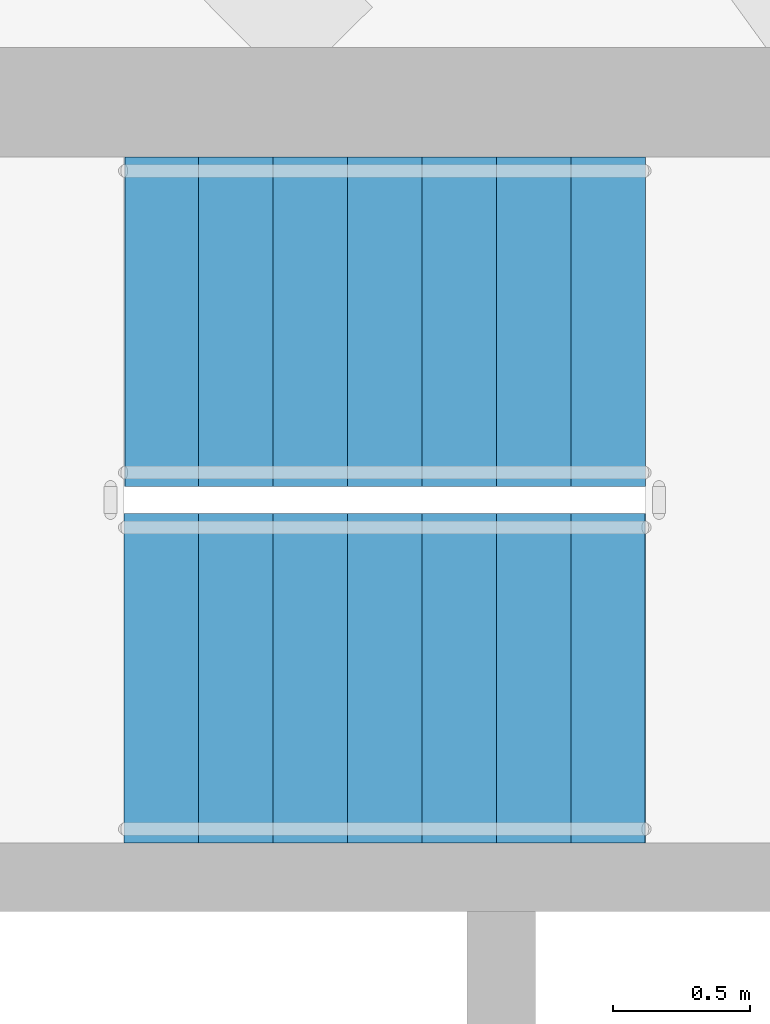
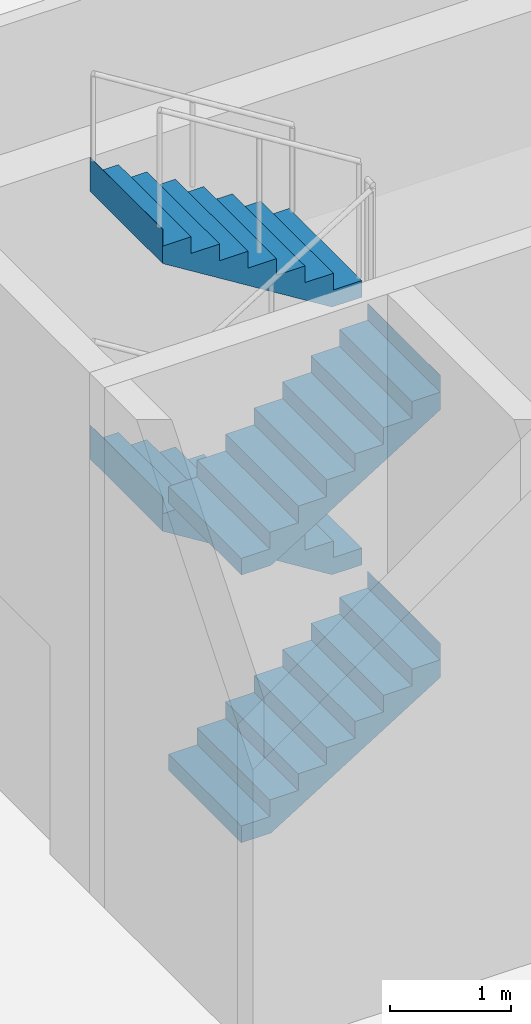
# One storey, part 8 of 17: 4 stair flights, 1 element without a shape of its own.
"""IFC4 building model written with IfcOpenShell, lengths in metres."""

from ifc_helpers import new_model, si_unit, direction, frame, origin, place, context, subcontext, project, spatial, triangles, material, type_object, element, aggregate, save


model = new_model("IFC4")

# Units and contexts
model_context = context("Model", 3, precision=1e-05, world=origin(), true_north=direction((0.0, 1.0)))
body_context = subcontext(model_context, "Body", "Model", "MODEL_VIEW")
ifc_project = project(units=[si_unit("LENGTHUNIT", "METRE"), si_unit("AREAUNIT", "SQUARE_METRE"), si_unit("VOLUMEUNIT", "CUBIC_METRE"), si_unit("PLANEANGLEUNIT", "RADIAN"), si_unit("MASSUNIT", "GRAM", prefix="KILO")], contexts=[model_context])

# Site, building, storey
site_placement = place(None, origin())
site = spatial("IfcSite", under=ifc_project, at=site_placement, CompositionType="ELEMENT")
building_placement = place(site_placement, origin())
building = spatial("IfcBuilding", under=site, at=building_placement, Name="Sahrelin Media Tower", CompositionType="ELEMENT")
storey_placement = place(building_placement, frame((0.0, 0.0, 249.60009765625)))
storey = spatial("IfcBuildingStorey", under=building, at=storey_placement, Name="L54", CompositionType="ELEMENT", Elevation=249.60009765625)

# Stair, stair flights
ifc_material = material(Name="Concrete C40/50", Category="concrete")
stair_type = type_object("IfcStairType", Name="Exit stair 1200", PredefinedType="HALF_TURN_STAIR", material=ifc_material)
stair_placement = place(storey_placement, origin())
stair = element("IfcStair", 1, at=stair_placement, inside=storey, type_object=stair_type, Name="L54 Exit stair ST1", PredefinedType="HALF_TURN_STAIR")
stair_flight_type = type_object("IfcStairFlightType", Name="Stair flight 1200", PredefinedType="STRAIGHT", material=ifc_material)
stair_flight_1_placement = place(storey_placement, frame((-7.675048828125, 4.699951171875, 0.0), z_axis=(0.0, 0.0, 1.0), x_axis=(1.0, 0.0, 0.0)))
stair_flight_1 = element("IfcStairFlight", 2, at=stair_flight_1_placement, type_object=stair_flight_type, Name="ST1 flight 1", NumberOfRisers=8, NumberOfTreads=7, PredefinedType="STRAIGHT", RiserHeight=0.16875, TreadLength=0.271428571, context=body_context, shape_type="Tessellation", body=[
    triangles([(0.283935546875, 0.60009765625, 0.0), (0.283935546875, 0.300048828125, 0.0), (0.283935546875, 0.0, 0.0), (0.283935546875, -0.300048828125, 0.0), (0.283935546875, -0.60009765625, 0.0), (1.89990234375, 0.60009765625, 1.004638671875), (1.89990234375, 0.300048828125, 1.004638671875), (1.89990234375, 0.0, 1.004638671875), (1.89990234375, -0.300048828125, 1.004638671875), (1.89990234375, -0.60009765625, 1.004638671875), (1.89990234375, 0.60009765625, 1.35009765625), (1.89990234375, 0.300048828125, 1.35009765625), (1.89990234375, 0.0, 1.35009765625), (1.89990234375, -0.300048828125, 1.35009765625), (1.89990234375, -0.60009765625, 1.35009765625), (1.89794921875, 0.60009765625, 1.35009765625), (1.89794921875, 0.300048828125, 1.35009765625), (1.89794921875, 0.0, 1.35009765625), (1.89794921875, -0.300048828125, 1.35009765625), (1.89794921875, -0.60009765625, 1.35009765625), (1.89794921875, 0.60009765625, 1.18115234375), (1.89794921875, 0.300048828125, 1.18115234375), (1.89794921875, 0.0, 1.18115234375), (1.89794921875, -0.300048828125, 1.18115234375), (1.89794921875, -0.60009765625, 1.18115234375), (1.628662109375, 0.60009765625, 1.18115234375), (1.628662109375, 0.300048828125, 1.18115234375), (1.628662109375, 0.0, 1.18115234375), (1.628662109375, -0.300048828125, 1.18115234375), (1.628662109375, -0.60009765625, 1.18115234375), (1.628662109375, 0.60009765625, 1.012451171875), (1.628662109375, 0.300048828125, 1.012451171875), (1.628662109375, 0.0, 1.012451171875), (1.628662109375, -0.300048828125, 1.012451171875), (1.628662109375, -0.60009765625, 1.012451171875), (1.357177734375, 0.60009765625, 1.012451171875), (1.357177734375, 0.300048828125, 1.012451171875), (1.357177734375, 0.0, 1.012451171875), (1.357177734375, -0.300048828125, 1.012451171875), (1.357177734375, -0.60009765625, 1.012451171875), (1.357177734375, 0.60009765625, 0.84375), (1.357177734375, 0.300048828125, 0.84375), (1.357177734375, 0.0, 0.84375), (1.357177734375, -0.300048828125, 0.84375), (1.357177734375, -0.60009765625, 0.84375), (1.085693359375, 0.60009765625, 0.84375), (1.085693359375, 0.300048828125, 0.84375), (1.085693359375, 0.0, 0.84375), (1.085693359375, -0.300048828125, 0.84375), (1.085693359375, -0.60009765625, 0.84375), (1.085693359375, 0.60009765625, 0.675048828125), (1.085693359375, 0.300048828125, 0.675048828125), (1.085693359375, 0.0, 0.675048828125), (1.085693359375, -0.300048828125, 0.675048828125), (1.085693359375, -0.60009765625, 0.675048828125), (0.814208984375, 0.60009765625, 0.675048828125), (0.814208984375, 0.300048828125, 0.675048828125), (0.814208984375, 0.0, 0.675048828125), (0.814208984375, -0.300048828125, 0.675048828125), (0.814208984375, -0.60009765625, 0.675048828125), (0.814208984375, 0.60009765625, 0.50634765625), (0.814208984375, 0.300048828125, 0.50634765625), (0.814208984375, 0.0, 0.50634765625), (0.814208984375, -0.300048828125, 0.50634765625), (0.814208984375, -0.60009765625, 0.50634765625), (0.54296875, 0.60009765625, 0.50634765625), (0.54296875, 0.300048828125, 0.50634765625), (0.54296875, 0.0, 0.50634765625), (0.54296875, -0.300048828125, 0.50634765625), (0.54296875, -0.60009765625, 0.50634765625), (0.54296875, 0.60009765625, 0.33740234375), (0.54296875, 0.300048828125, 0.33740234375), (0.54296875, 0.0, 0.33740234375), (0.54296875, -0.300048828125, 0.33740234375), (0.54296875, -0.60009765625, 0.33740234375), (0.271484375, 0.60009765625, 0.33740234375), (0.271484375, 0.300048828125, 0.33740234375), (0.271484375, 0.0, 0.33740234375), (0.271484375, -0.300048828125, 0.33740234375), (0.271484375, -0.60009765625, 0.33740234375), (0.271484375, 0.60009765625, 0.168701171875), (0.271484375, 0.300048828125, 0.168701171875), (0.271484375, 0.0, 0.168701171875), (0.271484375, -0.300048828125, 0.168701171875), (0.271484375, -0.60009765625, 0.168701171875), (0.0, 0.60009765625, 0.168701171875), (0.0, 0.300048828125, 0.168701171875), (0.0, 0.0, 0.168701171875), (0.0, -0.300048828125, 0.168701171875), (0.0, -0.60009765625, 0.168701171875), (0.0, 0.60009765625, 0.0), (0.0, 0.300048828125, 0.0), (0.0, 0.0, 0.0), (0.0, -0.300048828125, 0.0), (0.0, -0.60009765625, 0.0)], [[1, 6, 7], [1, 7, 2], [2, 7, 8], [2, 8, 3], [3, 8, 9], [3, 9, 4], [4, 9, 10], [4, 10, 5], [6, 11, 12], [6, 12, 7], [7, 12, 13], [7, 13, 8], [8, 13, 14], [8, 14, 9], [9, 14, 15], [9, 15, 10], [11, 16, 17], [11, 17, 12], [12, 17, 18], [12, 18, 13], [13, 18, 19], [13, 19, 14], [14, 19, 20], [14, 20, 15], [16, 21, 22], [16, 22, 17], [17, 22, 23], [17, 23, 18], [18, 23, 24], [18, 24, 19], [19, 24, 25], [19, 25, 20], [21, 26, 27], [21, 27, 22], [22, 27, 28], [22, 28, 23], [23, 28, 29], [23, 29, 24], [24, 29, 30], [24, 30, 25], [26, 31, 32], [26, 32, 27], [27, 32, 33], [27, 33, 28], [28, 33, 34], [28, 34, 29], [29, 34, 35], [29, 35, 30], [31, 36, 37], [31, 37, 32], [32, 37, 38], [32, 38, 33], [33, 38, 39], [33, 39, 34], [34, 39, 40], [34, 40, 35], [36, 41, 42], [36, 42, 37], [37, 42, 43], [37, 43, 38], [38, 43, 44], [38, 44, 39], [39, 44, 45], [39, 45, 40], [41, 46, 47], [41, 47, 42], [42, 47, 48], [42, 48, 43], [43, 48, 49], [43, 49, 44], [44, 49, 50], [44, 50, 45], [46, 51, 52], [46, 52, 47], [47, 52, 53], [47, 53, 48], [48, 53, 54], [48, 54, 49], [49, 54, 55], [49, 55, 50], [51, 56, 57], [51, 57, 52], [52, 57, 58], [52, 58, 53], [53, 58, 59], [53, 59, 54], [54, 59, 60], [54, 60, 55], [56, 61, 62], [56, 62, 57], [57, 62, 63], [57, 63, 58], [58, 63, 64], [58, 64, 59], [59, 64, 65], [59, 65, 60], [61, 66, 67], [61, 67, 62], [62, 67, 68], [62, 68, 63], [63, 68, 69], [63, 69, 64], [64, 69, 70], [64, 70, 65], [66, 71, 72], [66, 72, 67], [67, 72, 73], [67, 73, 68], [68, 73, 74], [68, 74, 69], [69, 74, 75], [69, 75, 70], [71, 76, 77], [71, 77, 72], [72, 77, 78], [72, 78, 73], [73, 78, 79], [73, 79, 74], [74, 79, 80], [74, 80, 75], [76, 81, 82], [76, 82, 77], [77, 82, 83], [77, 83, 78], [78, 83, 84], [78, 84, 79], [79, 84, 85], [79, 85, 80], [81, 86, 87], [81, 87, 82], [82, 87, 88], [82, 88, 83], [83, 88, 89], [83, 89, 84], [84, 89, 90], [84, 90, 85], [86, 91, 92], [86, 92, 87], [87, 92, 93], [87, 93, 88], [88, 93, 94], [88, 94, 89], [89, 94, 95], [89, 95, 90], [91, 1, 2], [91, 2, 92], [92, 2, 3], [92, 3, 93], [93, 3, 4], [93, 4, 94], [94, 4, 5], [94, 5, 95], [85, 90, 95], [81, 91, 86], [85, 75, 80], [81, 76, 71], [75, 65, 70], [71, 66, 61], [65, 55, 60], [61, 56, 51], [55, 45, 50], [51, 46, 41], [45, 35, 40], [41, 36, 31], [35, 25, 30], [31, 26, 21], [25, 15, 20], [21, 16, 11], [95, 5, 85], [91, 81, 1], [5, 55, 65], [1, 61, 51], [25, 10, 15], [21, 11, 6], [75, 85, 5], [71, 1, 81], [10, 45, 55], [6, 51, 41], [35, 10, 25], [31, 21, 6], [65, 75, 5], [61, 1, 71], [45, 10, 35], [41, 31, 6], [5, 10, 55], [1, 51, 6]], closed=True),
])
stair_flight_2_placement = place(storey_placement, frame((-5.77490234375, 6.0, 1.349853515625), z_axis=(0.0, 0.0, 1.0), x_axis=(-1.0, 0.0, 0.0)))
stair_flight_2 = element("IfcStairFlight", 3, at=stair_flight_2_placement, type_object=stair_flight_type, Name="ST1 flight 2", NumberOfRisers=8, NumberOfTreads=7, PredefinedType="STRAIGHT", RiserHeight=0.16875, TreadLength=0.271428571, context=body_context, shape_type="Tessellation", body=[
    triangles([(0.283935546875, 0.60009765625, 0.0), (0.283935546875, 0.300048828125, 0.0), (0.283935546875, 0.0, 0.0), (0.283935546875, -0.300048828125, 0.0), (0.283935546875, -0.60009765625, 0.0), (1.89990234375, 0.60009765625, 1.004638671875), (1.89990234375, 0.300048828125, 1.004638671875), (1.89990234375, 0.0, 1.004638671875), (1.89990234375, -0.300048828125, 1.004638671875), (1.89990234375, -0.60009765625, 1.004638671875), (1.89990234375, 0.60009765625, 1.35009765625), (1.89990234375, 0.300048828125, 1.35009765625), (1.89990234375, 0.0, 1.35009765625), (1.89990234375, -0.300048828125, 1.35009765625), (1.89990234375, -0.60009765625, 1.35009765625), (1.89794921875, 0.60009765625, 1.35009765625), (1.89794921875, 0.300048828125, 1.35009765625), (1.89794921875, 0.0, 1.35009765625), (1.89794921875, -0.300048828125, 1.35009765625), (1.89794921875, -0.60009765625, 1.35009765625), (1.89794921875, 0.60009765625, 1.18115234375), (1.89794921875, 0.300048828125, 1.18115234375), (1.89794921875, 0.0, 1.18115234375), (1.89794921875, -0.300048828125, 1.18115234375), (1.89794921875, -0.60009765625, 1.18115234375), (1.628662109375, 0.60009765625, 1.18115234375), (1.628662109375, 0.300048828125, 1.18115234375), (1.628662109375, 0.0, 1.18115234375), (1.628662109375, -0.300048828125, 1.18115234375), (1.628662109375, -0.60009765625, 1.18115234375), (1.628662109375, 0.60009765625, 1.012451171875), (1.628662109375, 0.300048828125, 1.012451171875), (1.628662109375, 0.0, 1.012451171875), (1.628662109375, -0.300048828125, 1.012451171875), (1.628662109375, -0.60009765625, 1.012451171875), (1.357177734375, 0.60009765625, 1.012451171875), (1.357177734375, 0.300048828125, 1.012451171875), (1.357177734375, 0.0, 1.012451171875), (1.357177734375, -0.300048828125, 1.012451171875), (1.357177734375, -0.60009765625, 1.012451171875), (1.357177734375, 0.60009765625, 0.84375), (1.357177734375, 0.300048828125, 0.84375), (1.357177734375, 0.0, 0.84375), (1.357177734375, -0.300048828125, 0.84375), (1.357177734375, -0.60009765625, 0.84375), (1.085693359375, 0.60009765625, 0.84375), (1.085693359375, 0.300048828125, 0.84375), (1.085693359375, 0.0, 0.84375), (1.085693359375, -0.300048828125, 0.84375), (1.085693359375, -0.60009765625, 0.84375), (1.085693359375, 0.60009765625, 0.675048828125), (1.085693359375, 0.300048828125, 0.675048828125), (1.085693359375, 0.0, 0.675048828125), (1.085693359375, -0.300048828125, 0.675048828125), (1.085693359375, -0.60009765625, 0.675048828125), (0.814208984375, 0.60009765625, 0.675048828125), (0.814208984375, 0.300048828125, 0.675048828125), (0.814208984375, 0.0, 0.675048828125), (0.814208984375, -0.300048828125, 0.675048828125), (0.814208984375, -0.60009765625, 0.675048828125), (0.814208984375, 0.60009765625, 0.50634765625), (0.814208984375, 0.300048828125, 0.50634765625), (0.814208984375, 0.0, 0.50634765625), (0.814208984375, -0.300048828125, 0.50634765625), (0.814208984375, -0.60009765625, 0.50634765625), (0.54296875, 0.60009765625, 0.50634765625), (0.54296875, 0.300048828125, 0.50634765625), (0.54296875, 0.0, 0.50634765625), (0.54296875, -0.300048828125, 0.50634765625), (0.54296875, -0.60009765625, 0.50634765625), (0.54296875, 0.60009765625, 0.33740234375), (0.54296875, 0.300048828125, 0.33740234375), (0.54296875, 0.0, 0.33740234375), (0.54296875, -0.300048828125, 0.33740234375), (0.54296875, -0.60009765625, 0.33740234375), (0.271484375, 0.60009765625, 0.33740234375), (0.271484375, 0.300048828125, 0.33740234375), (0.271484375, 0.0, 0.33740234375), (0.271484375, -0.300048828125, 0.33740234375), (0.271484375, -0.60009765625, 0.33740234375), (0.271484375, 0.60009765625, 0.168701171875), (0.271484375, 0.300048828125, 0.168701171875), (0.271484375, 0.0, 0.168701171875), (0.271484375, -0.300048828125, 0.168701171875), (0.271484375, -0.60009765625, 0.168701171875), (0.0, 0.60009765625, 0.168701171875), (0.0, 0.300048828125, 0.168701171875), (0.0, 0.0, 0.168701171875), (0.0, -0.300048828125, 0.168701171875), (0.0, -0.60009765625, 0.168701171875), (0.0, 0.60009765625, 0.0), (0.0, 0.300048828125, 0.0), (0.0, 0.0, 0.0), (0.0, -0.300048828125, 0.0), (0.0, -0.60009765625, 0.0)], [[1, 6, 7], [1, 7, 2], [2, 7, 8], [2, 8, 3], [3, 8, 9], [3, 9, 4], [4, 9, 10], [4, 10, 5], [6, 11, 12], [6, 12, 7], [7, 12, 13], [7, 13, 8], [8, 13, 14], [8, 14, 9], [9, 14, 15], [9, 15, 10], [11, 16, 17], [11, 17, 12], [12, 17, 18], [12, 18, 13], [13, 18, 19], [13, 19, 14], [14, 19, 20], [14, 20, 15], [16, 21, 22], [16, 22, 17], [17, 22, 23], [17, 23, 18], [18, 23, 24], [18, 24, 19], [19, 24, 25], [19, 25, 20], [21, 26, 27], [21, 27, 22], [22, 27, 28], [22, 28, 23], [23, 28, 29], [23, 29, 24], [24, 29, 30], [24, 30, 25], [26, 31, 32], [26, 32, 27], [27, 32, 33], [27, 33, 28], [28, 33, 34], [28, 34, 29], [29, 34, 35], [29, 35, 30], [31, 36, 37], [31, 37, 32], [32, 37, 38], [32, 38, 33], [33, 38, 39], [33, 39, 34], [34, 39, 40], [34, 40, 35], [36, 41, 42], [36, 42, 37], [37, 42, 43], [37, 43, 38], [38, 43, 44], [38, 44, 39], [39, 44, 45], [39, 45, 40], [41, 46, 47], [41, 47, 42], [42, 47, 48], [42, 48, 43], [43, 48, 49], [43, 49, 44], [44, 49, 50], [44, 50, 45], [46, 51, 52], [46, 52, 47], [47, 52, 53], [47, 53, 48], [48, 53, 54], [48, 54, 49], [49, 54, 55], [49, 55, 50], [51, 56, 57], [51, 57, 52], [52, 57, 58], [52, 58, 53], [53, 58, 59], [53, 59, 54], [54, 59, 60], [54, 60, 55], [56, 61, 62], [56, 62, 57], [57, 62, 63], [57, 63, 58], [58, 63, 64], [58, 64, 59], [59, 64, 65], [59, 65, 60], [61, 66, 67], [61, 67, 62], [62, 67, 68], [62, 68, 63], [63, 68, 69], [63, 69, 64], [64, 69, 70], [64, 70, 65], [66, 71, 72], [66, 72, 67], [67, 72, 73], [67, 73, 68], [68, 73, 74], [68, 74, 69], [69, 74, 75], [69, 75, 70], [71, 76, 77], [71, 77, 72], [72, 77, 78], [72, 78, 73], [73, 78, 79], [73, 79, 74], [74, 79, 80], [74, 80, 75], [76, 81, 82], [76, 82, 77], [77, 82, 83], [77, 83, 78], [78, 83, 84], [78, 84, 79], [79, 84, 85], [79, 85, 80], [81, 86, 87], [81, 87, 82], [82, 87, 88], [82, 88, 83], [83, 88, 89], [83, 89, 84], [84, 89, 90], [84, 90, 85], [86, 91, 92], [86, 92, 87], [87, 92, 93], [87, 93, 88], [88, 93, 94], [88, 94, 89], [89, 94, 95], [89, 95, 90], [91, 1, 2], [91, 2, 92], [92, 2, 3], [92, 3, 93], [93, 3, 4], [93, 4, 94], [94, 4, 5], [94, 5, 95], [85, 90, 95], [81, 91, 86], [85, 75, 80], [81, 76, 71], [75, 65, 70], [71, 66, 61], [65, 55, 60], [61, 56, 51], [55, 45, 50], [51, 46, 41], [45, 35, 40], [41, 36, 31], [35, 25, 30], [31, 26, 21], [25, 15, 20], [21, 16, 11], [95, 5, 85], [91, 81, 1], [5, 55, 65], [1, 61, 51], [25, 10, 15], [21, 11, 6], [75, 85, 5], [71, 1, 81], [10, 45, 55], [6, 51, 41], [35, 10, 25], [31, 21, 6], [65, 75, 5], [61, 1, 71], [45, 10, 35], [41, 31, 6], [5, 10, 55], [1, 51, 6]], closed=True),
])
stair_flight_3_placement = place(storey_placement, frame((-7.675048828125, 4.699951171875, 2.699951171875), z_axis=(0.0, 0.0, 1.0), x_axis=(1.0, 0.0, 0.0)))
stair_flight_3 = element("IfcStairFlight", 4, at=stair_flight_3_placement, type_object=stair_flight_type, Name="ST1 flight 3", NumberOfRisers=8, NumberOfTreads=7, PredefinedType="STRAIGHT", RiserHeight=0.16875, TreadLength=0.271428571, context=body_context, shape_type="Tessellation", body=[
    triangles([(0.283935546875, 0.60009765625, 0.0), (0.283935546875, 0.300048828125, 0.0), (0.283935546875, 0.0, 0.0), (0.283935546875, -0.300048828125, 0.0), (0.283935546875, -0.60009765625, 0.0), (1.89990234375, 0.60009765625, 1.004638671875), (1.89990234375, 0.300048828125, 1.004638671875), (1.89990234375, 0.0, 1.004638671875), (1.89990234375, -0.300048828125, 1.004638671875), (1.89990234375, -0.60009765625, 1.004638671875), (1.89990234375, 0.60009765625, 1.35009765625), (1.89990234375, 0.300048828125, 1.35009765625), (1.89990234375, 0.0, 1.35009765625), (1.89990234375, -0.300048828125, 1.35009765625), (1.89990234375, -0.60009765625, 1.35009765625), (1.89794921875, 0.60009765625, 1.35009765625), (1.89794921875, 0.300048828125, 1.35009765625), (1.89794921875, 0.0, 1.35009765625), (1.89794921875, -0.300048828125, 1.35009765625), (1.89794921875, -0.60009765625, 1.35009765625), (1.89794921875, 0.60009765625, 1.18115234375), (1.89794921875, 0.300048828125, 1.18115234375), (1.89794921875, 0.0, 1.18115234375), (1.89794921875, -0.300048828125, 1.18115234375), (1.89794921875, -0.60009765625, 1.18115234375), (1.628662109375, 0.60009765625, 1.18115234375), (1.628662109375, 0.300048828125, 1.18115234375), (1.628662109375, 0.0, 1.18115234375), (1.628662109375, -0.300048828125, 1.18115234375), (1.628662109375, -0.60009765625, 1.18115234375), (1.628662109375, 0.60009765625, 1.012451171875), (1.628662109375, 0.300048828125, 1.012451171875), (1.628662109375, 0.0, 1.012451171875), (1.628662109375, -0.300048828125, 1.012451171875), (1.628662109375, -0.60009765625, 1.012451171875), (1.357177734375, 0.60009765625, 1.012451171875), (1.357177734375, 0.300048828125, 1.012451171875), (1.357177734375, 0.0, 1.012451171875), (1.357177734375, -0.300048828125, 1.012451171875), (1.357177734375, -0.60009765625, 1.012451171875), (1.357177734375, 0.60009765625, 0.84375), (1.357177734375, 0.300048828125, 0.84375), (1.357177734375, 0.0, 0.84375), (1.357177734375, -0.300048828125, 0.84375), (1.357177734375, -0.60009765625, 0.84375), (1.085693359375, 0.60009765625, 0.84375), (1.085693359375, 0.300048828125, 0.84375), (1.085693359375, 0.0, 0.84375), (1.085693359375, -0.300048828125, 0.84375), (1.085693359375, -0.60009765625, 0.84375), (1.085693359375, 0.60009765625, 0.675048828125), (1.085693359375, 0.300048828125, 0.675048828125), (1.085693359375, 0.0, 0.675048828125), (1.085693359375, -0.300048828125, 0.675048828125), (1.085693359375, -0.60009765625, 0.675048828125), (0.814208984375, 0.60009765625, 0.675048828125), (0.814208984375, 0.300048828125, 0.675048828125), (0.814208984375, 0.0, 0.675048828125), (0.814208984375, -0.300048828125, 0.675048828125), (0.814208984375, -0.60009765625, 0.675048828125), (0.814208984375, 0.60009765625, 0.50634765625), (0.814208984375, 0.300048828125, 0.50634765625), (0.814208984375, 0.0, 0.50634765625), (0.814208984375, -0.300048828125, 0.50634765625), (0.814208984375, -0.60009765625, 0.50634765625), (0.54296875, 0.60009765625, 0.50634765625), (0.54296875, 0.300048828125, 0.50634765625), (0.54296875, 0.0, 0.50634765625), (0.54296875, -0.300048828125, 0.50634765625), (0.54296875, -0.60009765625, 0.50634765625), (0.54296875, 0.60009765625, 0.33740234375), (0.54296875, 0.300048828125, 0.33740234375), (0.54296875, 0.0, 0.33740234375), (0.54296875, -0.300048828125, 0.33740234375), (0.54296875, -0.60009765625, 0.33740234375), (0.271484375, 0.60009765625, 0.33740234375), (0.271484375, 0.300048828125, 0.33740234375), (0.271484375, 0.0, 0.33740234375), (0.271484375, -0.300048828125, 0.33740234375), (0.271484375, -0.60009765625, 0.33740234375), (0.271484375, 0.60009765625, 0.168701171875), (0.271484375, 0.300048828125, 0.168701171875), (0.271484375, 0.0, 0.168701171875), (0.271484375, -0.300048828125, 0.168701171875), (0.271484375, -0.60009765625, 0.168701171875), (0.0, 0.60009765625, 0.168701171875), (0.0, 0.300048828125, 0.168701171875), (0.0, 0.0, 0.168701171875), (0.0, -0.300048828125, 0.168701171875), (0.0, -0.60009765625, 0.168701171875), (0.0, 0.60009765625, 0.0), (0.0, 0.300048828125, 0.0), (0.0, 0.0, 0.0), (0.0, -0.300048828125, 0.0), (0.0, -0.60009765625, 0.0)], [[1, 6, 7], [1, 7, 2], [2, 7, 8], [2, 8, 3], [3, 8, 9], [3, 9, 4], [4, 9, 10], [4, 10, 5], [6, 11, 12], [6, 12, 7], [7, 12, 13], [7, 13, 8], [8, 13, 14], [8, 14, 9], [9, 14, 15], [9, 15, 10], [11, 16, 17], [11, 17, 12], [12, 17, 18], [12, 18, 13], [13, 18, 19], [13, 19, 14], [14, 19, 20], [14, 20, 15], [16, 21, 22], [16, 22, 17], [17, 22, 23], [17, 23, 18], [18, 23, 24], [18, 24, 19], [19, 24, 25], [19, 25, 20], [21, 26, 27], [21, 27, 22], [22, 27, 28], [22, 28, 23], [23, 28, 29], [23, 29, 24], [24, 29, 30], [24, 30, 25], [26, 31, 32], [26, 32, 27], [27, 32, 33], [27, 33, 28], [28, 33, 34], [28, 34, 29], [29, 34, 35], [29, 35, 30], [31, 36, 37], [31, 37, 32], [32, 37, 38], [32, 38, 33], [33, 38, 39], [33, 39, 34], [34, 39, 40], [34, 40, 35], [36, 41, 42], [36, 42, 37], [37, 42, 43], [37, 43, 38], [38, 43, 44], [38, 44, 39], [39, 44, 45], [39, 45, 40], [41, 46, 47], [41, 47, 42], [42, 47, 48], [42, 48, 43], [43, 48, 49], [43, 49, 44], [44, 49, 50], [44, 50, 45], [46, 51, 52], [46, 52, 47], [47, 52, 53], [47, 53, 48], [48, 53, 54], [48, 54, 49], [49, 54, 55], [49, 55, 50], [51, 56, 57], [51, 57, 52], [52, 57, 58], [52, 58, 53], [53, 58, 59], [53, 59, 54], [54, 59, 60], [54, 60, 55], [56, 61, 62], [56, 62, 57], [57, 62, 63], [57, 63, 58], [58, 63, 64], [58, 64, 59], [59, 64, 65], [59, 65, 60], [61, 66, 67], [61, 67, 62], [62, 67, 68], [62, 68, 63], [63, 68, 69], [63, 69, 64], [64, 69, 70], [64, 70, 65], [66, 71, 72], [66, 72, 67], [67, 72, 73], [67, 73, 68], [68, 73, 74], [68, 74, 69], [69, 74, 75], [69, 75, 70], [71, 76, 77], [71, 77, 72], [72, 77, 78], [72, 78, 73], [73, 78, 79], [73, 79, 74], [74, 79, 80], [74, 80, 75], [76, 81, 82], [76, 82, 77], [77, 82, 83], [77, 83, 78], [78, 83, 84], [78, 84, 79], [79, 84, 85], [79, 85, 80], [81, 86, 87], [81, 87, 82], [82, 87, 88], [82, 88, 83], [83, 88, 89], [83, 89, 84], [84, 89, 90], [84, 90, 85], [86, 91, 92], [86, 92, 87], [87, 92, 93], [87, 93, 88], [88, 93, 94], [88, 94, 89], [89, 94, 95], [89, 95, 90], [91, 1, 2], [91, 2, 92], [92, 2, 3], [92, 3, 93], [93, 3, 4], [93, 4, 94], [94, 4, 5], [94, 5, 95], [85, 90, 95], [81, 91, 86], [85, 75, 80], [81, 76, 71], [75, 65, 70], [71, 66, 61], [65, 55, 60], [61, 56, 51], [55, 45, 50], [51, 46, 41], [45, 35, 40], [41, 36, 31], [35, 25, 30], [31, 26, 21], [25, 15, 20], [21, 16, 11], [95, 5, 85], [91, 81, 1], [5, 55, 65], [1, 61, 51], [25, 10, 15], [21, 11, 6], [75, 85, 5], [71, 1, 81], [10, 45, 55], [6, 51, 41], [35, 10, 25], [31, 21, 6], [65, 75, 5], [61, 1, 71], [45, 10, 35], [41, 31, 6], [5, 10, 55], [1, 51, 6]], closed=True),
])
stair_flight_4_placement = place(storey_placement, frame((-5.77490234375, 6.0, 4.0498046875), z_axis=(0.0, 0.0, 1.0), x_axis=(-1.0, 0.0, 0.0)))
stair_flight_4 = element("IfcStairFlight", 5, at=stair_flight_4_placement, type_object=stair_flight_type, Name="ST1 flight 4", NumberOfRisers=8, NumberOfTreads=7, PredefinedType="STRAIGHT", RiserHeight=0.16875, TreadLength=0.271428571, context=body_context, shape_type="Tessellation", body=[
    triangles([(0.283935546875, 0.60009765625, 0.0), (0.283935546875, 0.300048828125, 0.0), (0.283935546875, 0.0, 0.0), (0.283935546875, -0.300048828125, 0.0), (0.283935546875, -0.60009765625, 0.0), (1.89990234375, 0.60009765625, 1.004638671875), (1.89990234375, 0.300048828125, 1.004638671875), (1.89990234375, 0.0, 1.004638671875), (1.89990234375, -0.300048828125, 1.004638671875), (1.89990234375, -0.60009765625, 1.004638671875), (1.89990234375, 0.60009765625, 1.35009765625), (1.89990234375, 0.300048828125, 1.35009765625), (1.89990234375, 0.0, 1.35009765625), (1.89990234375, -0.300048828125, 1.35009765625), (1.89990234375, -0.60009765625, 1.35009765625), (1.89794921875, 0.60009765625, 1.35009765625), (1.89794921875, 0.300048828125, 1.35009765625), (1.89794921875, 0.0, 1.35009765625), (1.89794921875, -0.300048828125, 1.35009765625), (1.89794921875, -0.60009765625, 1.35009765625), (1.89794921875, 0.60009765625, 1.18115234375), (1.89794921875, 0.300048828125, 1.18115234375), (1.89794921875, 0.0, 1.18115234375), (1.89794921875, -0.300048828125, 1.18115234375), (1.89794921875, -0.60009765625, 1.18115234375), (1.628662109375, 0.60009765625, 1.18115234375), (1.628662109375, 0.300048828125, 1.18115234375), (1.628662109375, 0.0, 1.18115234375), (1.628662109375, -0.300048828125, 1.18115234375), (1.628662109375, -0.60009765625, 1.18115234375), (1.628662109375, 0.60009765625, 1.012451171875), (1.628662109375, 0.300048828125, 1.012451171875), (1.628662109375, 0.0, 1.012451171875), (1.628662109375, -0.300048828125, 1.012451171875), (1.628662109375, -0.60009765625, 1.012451171875), (1.357177734375, 0.60009765625, 1.012451171875), (1.357177734375, 0.300048828125, 1.012451171875), (1.357177734375, 0.0, 1.012451171875), (1.357177734375, -0.300048828125, 1.012451171875), (1.357177734375, -0.60009765625, 1.012451171875), (1.357177734375, 0.60009765625, 0.84375), (1.357177734375, 0.300048828125, 0.84375), (1.357177734375, 0.0, 0.84375), (1.357177734375, -0.300048828125, 0.84375), (1.357177734375, -0.60009765625, 0.84375), (1.085693359375, 0.60009765625, 0.84375), (1.085693359375, 0.300048828125, 0.84375), (1.085693359375, 0.0, 0.84375), (1.085693359375, -0.300048828125, 0.84375), (1.085693359375, -0.60009765625, 0.84375), (1.085693359375, 0.60009765625, 0.675048828125), (1.085693359375, 0.300048828125, 0.675048828125), (1.085693359375, 0.0, 0.675048828125), (1.085693359375, -0.300048828125, 0.675048828125), (1.085693359375, -0.60009765625, 0.675048828125), (0.814208984375, 0.60009765625, 0.675048828125), (0.814208984375, 0.300048828125, 0.675048828125), (0.814208984375, 0.0, 0.675048828125), (0.814208984375, -0.300048828125, 0.675048828125), (0.814208984375, -0.60009765625, 0.675048828125), (0.814208984375, 0.60009765625, 0.50634765625), (0.814208984375, 0.300048828125, 0.50634765625), (0.814208984375, 0.0, 0.50634765625), (0.814208984375, -0.300048828125, 0.50634765625), (0.814208984375, -0.60009765625, 0.50634765625), (0.54296875, 0.60009765625, 0.50634765625), (0.54296875, 0.300048828125, 0.50634765625), (0.54296875, 0.0, 0.50634765625), (0.54296875, -0.300048828125, 0.50634765625), (0.54296875, -0.60009765625, 0.50634765625), (0.54296875, 0.60009765625, 0.33740234375), (0.54296875, 0.300048828125, 0.33740234375), (0.54296875, 0.0, 0.33740234375), (0.54296875, -0.300048828125, 0.33740234375), (0.54296875, -0.60009765625, 0.33740234375), (0.271484375, 0.60009765625, 0.33740234375), (0.271484375, 0.300048828125, 0.33740234375), (0.271484375, 0.0, 0.33740234375), (0.271484375, -0.300048828125, 0.33740234375), (0.271484375, -0.60009765625, 0.33740234375), (0.271484375, 0.60009765625, 0.168701171875), (0.271484375, 0.300048828125, 0.168701171875), (0.271484375, 0.0, 0.168701171875), (0.271484375, -0.300048828125, 0.168701171875), (0.271484375, -0.60009765625, 0.168701171875), (0.0, 0.60009765625, 0.168701171875), (0.0, 0.300048828125, 0.168701171875), (0.0, 0.0, 0.168701171875), (0.0, -0.300048828125, 0.168701171875), (0.0, -0.60009765625, 0.168701171875), (0.0, 0.60009765625, 0.0), (0.0, 0.300048828125, 0.0), (0.0, 0.0, 0.0), (0.0, -0.300048828125, 0.0), (0.0, -0.60009765625, 0.0)], [[1, 6, 7], [1, 7, 2], [2, 7, 8], [2, 8, 3], [3, 8, 9], [3, 9, 4], [4, 9, 10], [4, 10, 5], [6, 11, 12], [6, 12, 7], [7, 12, 13], [7, 13, 8], [8, 13, 14], [8, 14, 9], [9, 14, 15], [9, 15, 10], [11, 16, 17], [11, 17, 12], [12, 17, 18], [12, 18, 13], [13, 18, 19], [13, 19, 14], [14, 19, 20], [14, 20, 15], [16, 21, 22], [16, 22, 17], [17, 22, 23], [17, 23, 18], [18, 23, 24], [18, 24, 19], [19, 24, 25], [19, 25, 20], [21, 26, 27], [21, 27, 22], [22, 27, 28], [22, 28, 23], [23, 28, 29], [23, 29, 24], [24, 29, 30], [24, 30, 25], [26, 31, 32], [26, 32, 27], [27, 32, 33], [27, 33, 28], [28, 33, 34], [28, 34, 29], [29, 34, 35], [29, 35, 30], [31, 36, 37], [31, 37, 32], [32, 37, 38], [32, 38, 33], [33, 38, 39], [33, 39, 34], [34, 39, 40], [34, 40, 35], [36, 41, 42], [36, 42, 37], [37, 42, 43], [37, 43, 38], [38, 43, 44], [38, 44, 39], [39, 44, 45], [39, 45, 40], [41, 46, 47], [41, 47, 42], [42, 47, 48], [42, 48, 43], [43, 48, 49], [43, 49, 44], [44, 49, 50], [44, 50, 45], [46, 51, 52], [46, 52, 47], [47, 52, 53], [47, 53, 48], [48, 53, 54], [48, 54, 49], [49, 54, 55], [49, 55, 50], [51, 56, 57], [51, 57, 52], [52, 57, 58], [52, 58, 53], [53, 58, 59], [53, 59, 54], [54, 59, 60], [54, 60, 55], [56, 61, 62], [56, 62, 57], [57, 62, 63], [57, 63, 58], [58, 63, 64], [58, 64, 59], [59, 64, 65], [59, 65, 60], [61, 66, 67], [61, 67, 62], [62, 67, 68], [62, 68, 63], [63, 68, 69], [63, 69, 64], [64, 69, 70], [64, 70, 65], [66, 71, 72], [66, 72, 67], [67, 72, 73], [67, 73, 68], [68, 73, 74], [68, 74, 69], [69, 74, 75], [69, 75, 70], [71, 76, 77], [71, 77, 72], [72, 77, 78], [72, 78, 73], [73, 78, 79], [73, 79, 74], [74, 79, 80], [74, 80, 75], [76, 81, 82], [76, 82, 77], [77, 82, 83], [77, 83, 78], [78, 83, 84], [78, 84, 79], [79, 84, 85], [79, 85, 80], [81, 86, 87], [81, 87, 82], [82, 87, 88], [82, 88, 83], [83, 88, 89], [83, 89, 84], [84, 89, 90], [84, 90, 85], [86, 91, 92], [86, 92, 87], [87, 92, 93], [87, 93, 88], [88, 93, 94], [88, 94, 89], [89, 94, 95], [89, 95, 90], [91, 1, 2], [91, 2, 92], [92, 2, 3], [92, 3, 93], [93, 3, 4], [93, 4, 94], [94, 4, 5], [94, 5, 95], [85, 90, 95], [81, 91, 86], [85, 75, 80], [81, 76, 71], [75, 65, 70], [71, 66, 61], [65, 55, 60], [61, 56, 51], [55, 45, 50], [51, 46, 41], [45, 35, 40], [41, 36, 31], [35, 25, 30], [31, 26, 21], [25, 15, 20], [21, 16, 11], [95, 5, 85], [91, 81, 1], [5, 55, 65], [1, 61, 51], [25, 10, 15], [21, 11, 6], [75, 85, 5], [71, 1, 81], [10, 45, 55], [6, 51, 41], [35, 10, 25], [31, 21, 6], [65, 75, 5], [61, 1, 71], [45, 10, 35], [41, 31, 6], [5, 10, 55], [1, 51, 6]], closed=True),
])
aggregate(stair, [stair_flight_1, stair_flight_2, stair_flight_3, stair_flight_4])

save(model, "model.ifc")
